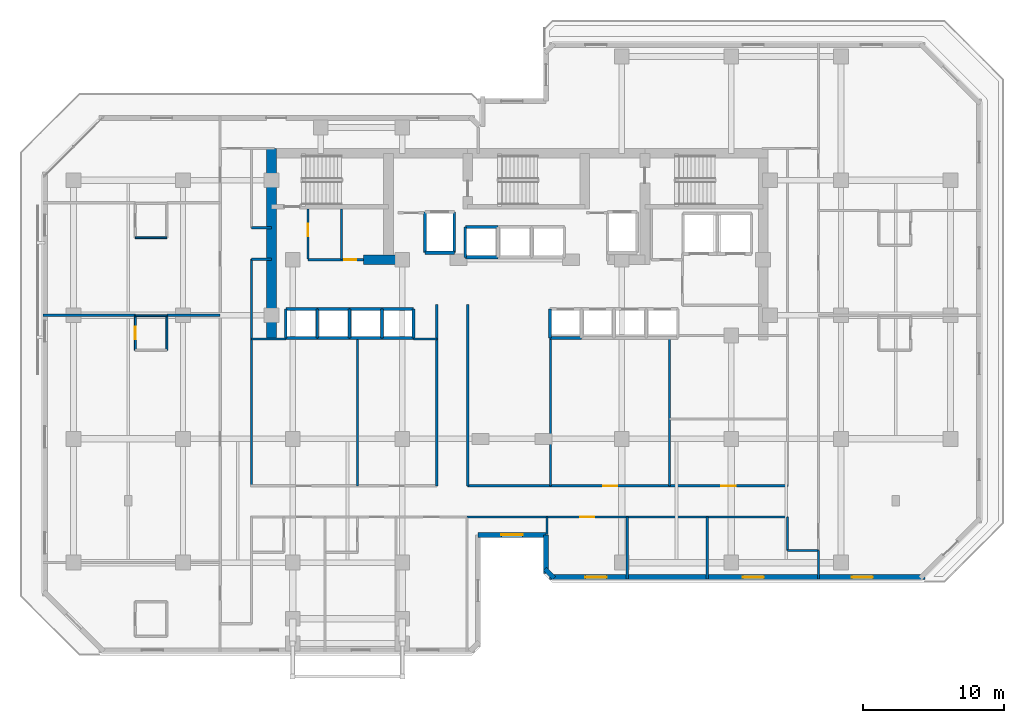
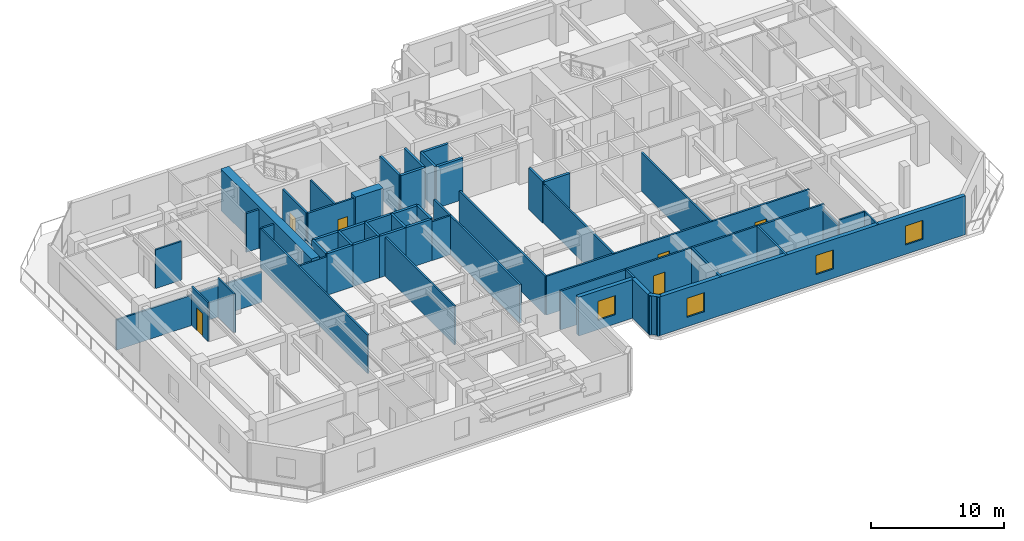
# One storey, part 6 of 11: 54 walls, 6 doors, 4 windows, 10 openings.
"""IFC4 building model written with IfcOpenShell, lengths in metres."""

from ifc_helpers import new_model, si_unit, direction, frame, frame_2d, origin, place, context, subcontext, project, spatial, rectangle, extrude, material, layer, layer_set, type_object, element, fill, save


model = new_model("IFC4")

# Units and contexts
model_context = context("Model", 3, precision=1e-05, world=origin(), true_north=direction((0.0, 1.0)))
body_context = subcontext(model_context, "Body", "Model", "MODEL_VIEW")
ifc_project = project(units=[si_unit("LENGTHUNIT", "METRE"), si_unit("AREAUNIT", "SQUARE_METRE"), si_unit("VOLUMEUNIT", "CUBIC_METRE"), si_unit("PLANEANGLEUNIT", "RADIAN"), si_unit("MASSUNIT", "GRAM", prefix="KILO")], contexts=[model_context])

# Site, building, storey
site_placement = place(None, origin())
site = spatial("IfcSite", under=ifc_project, at=site_placement, CompositionType="ELEMENT")
building_placement = place(site_placement, origin())
building = spatial("IfcBuilding", under=site, at=building_placement, Name="Kestravale Grand Hotel", CompositionType="ELEMENT")
storey_placement = place(building_placement, frame((0.0, 0.0, 134.60009765625)))
storey = spatial("IfcBuildingStorey", under=building, at=storey_placement, Name="L33", CompositionType="ELEMENT", Elevation=134.60009765625)

# Walls
ifc_material_1 = material(Name="Concrete f'c 60 MPa", Category="concrete")
ifc_layer_1 = layer(ifc_material_1, 0.699951171875)
ifc_layer_set_1 = layer_set([ifc_layer_1], Name="EW-CORE-700")
wall_type_1 = type_object("IfcWallType", Name="EW-CORE-700", PredefinedType="SHEAR", material=ifc_layer_set_1)
wall_1_placement = place(storey_placement, frame((21.89990234375, 27.050048828125, 0.0), z_axis=(0.0, 0.0, 1.0), x_axis=(0.0, 1.0, 0.0)))
element("IfcWall", 1, at=wall_1_placement, inside=storey, type_object=wall_type_1, Name="L33 core shear wall W1", PredefinedType="SHEAR", context=body_context, shape_type="SweptSolid", body=[
    extrude(rectangle(XDim=13.619873046875, YDim=0.699951171875, at=frame_2d((6.81005859375, 0.0))), origin(), (0.0, 0.0, 1.0), 3.7998046875),
])
wall_2_placement = place(storey_placement, frame((28.449951171875, 32.75, 0.0), z_axis=(0.0, 0.0, 1.0), x_axis=(1.0, 0.0, 0.0)))
element("IfcWall", 2, at=wall_2_placement, inside=storey, type_object=wall_type_1, Name="L33 core shear wall S1", PredefinedType="SHEAR", context=body_context, shape_type="SweptSolid", body=[
    extrude(rectangle(XDim=2.400146484375, YDim=0.699951171875, at=frame_2d((1.2001953125, 0.0))), origin(), (0.0, 0.0, 1.0), 3.7998046875),
])

# Wall, opening, window
ifc_material_2 = material(Name="Precast concrete f'c 45 MPa", Category="concrete")
ifc_layer_2 = layer(ifc_material_2, 0.340087890625)
ifc_layer_set_2 = layer_set([ifc_layer_2], Name="EW-PREC-340")
wall_type_2 = type_object("IfcWallType", Name="EW-PREC-340", PredefinedType="SOLIDWALL", material=ifc_layer_set_2)
wall_3_placement = place(storey_placement, frame((36.580078125, 13.169921875, 0.0), z_axis=(0.0, 0.0, 1.0), x_axis=(1.0, 0.0, 0.0)))
wall_3 = element("IfcWall", 3, at=wall_3_placement, inside=storey, type_object=wall_type_2, Name="L33 fluted precast facade wall 4", PredefinedType="SOLIDWALL", context=body_context, shape_type="SweptSolid", body=[
    extrude(rectangle(XDim=4.83984375, YDim=0.340087890625, at=frame_2d((2.419921875, 0.0))), origin(), (0.0, 0.0, 1.0), 3.5498046875),
])
opening_1_placement = place(wall_3_placement, frame((1.669921875, 0.0, 0.85009765625)))
opening_1 = element("IfcOpeningElement", 4, at=opening_1_placement, cuts=wall_3, Name="Opening W-GUEST-1500", PredefinedType="OPENING", context=body_context, shape_type="SweptSolid", body=[
    extrude(rectangle(XDim=1.5, YDim=1.75, at=frame_2d((0.75, 0.875))), frame((0.0, 0.179931640625, 0.0), z_axis=(0.0, -1.0, 0.0), x_axis=(1.0, 0.0, 0.0)), (0.0, 0.0, 1.0), 0.360107421875),
])
ifc_material_3 = material(Name="Insulated low-E double glazing in aluminium frame", Category="aluminium")
window_type = type_object("IfcWindowType", Name="W-GUEST-1500", PartitioningType="SINGLE_PANEL", PredefinedType="WINDOW", material=ifc_material_3)
window_1_placement = place(opening_1_placement, origin())
window_1 = element("IfcWindow", 5, at=window_1_placement, inside=storey, type_object=window_type, Name="L33 exterior window 4.1", OverallHeight=1.75, OverallWidth=1.5, PartitioningType="SINGLE_PANEL", PredefinedType="WINDOW", context=body_context, shape_type="SweptSolid", body=[
    extrude(rectangle(XDim=1.5, YDim=1.75, at=frame_2d((0.75, 0.875))), frame((0.0, 0.030029296875, 0.0), z_axis=(0.0, -1.0, 0.0), x_axis=(1.0, 0.0, 0.0)), (0.0, 0.0, 1.0), 0.06005859375),
])
fill(opening_1, window_1)

# Walls
wall_4_placement = place(storey_placement, frame((41.419921875, 13.169921875, 0.0), z_axis=(0.0, 0.0, 1.0), x_axis=(0.0, -1.0, 0.0)))
element("IfcWall", 6, at=wall_4_placement, inside=storey, type_object=wall_type_2, Name="L33 fluted precast facade wall 5", PredefinedType="SOLIDWALL", context=body_context, shape_type="SweptSolid", body=[
    extrude(rectangle(XDim=2.739990234375, YDim=0.340087890625, at=frame_2d((1.3701171875, 0.0))), origin(), (0.0, 0.0, 1.0), 3.5498046875),
])
wall_5_placement = place(storey_placement, frame((41.341796875, 10.74853515625, 0.0), z_axis=(0.0, 0.0, 1.0), x_axis=(0.707106781187, -0.707106781187, 0.0)))
element("IfcWall", 7, at=wall_5_placement, inside=storey, type_object=wall_type_2, Name="L33 fluted precast facade wall 6", PredefinedType="SOLIDWALL", context=body_context, shape_type="SweptSolid", body=[
    extrude(rectangle(XDim=0.9287109375, YDim=0.340087890625, at=frame_2d((0.46435546875, 0.0))), origin(), (0.0, 0.0, 1.0), 3.5498046875),
])

# Wall, openings, windows
wall_6_placement = place(storey_placement, frame((41.679931640625, 10.169921875, 0.0), z_axis=(0.0, 0.0, 1.0), x_axis=(1.0, 0.0, 0.0)))
wall_6 = element("IfcWall", 8, at=wall_6_placement, inside=storey, type_object=wall_type_2, Name="L33 fluted precast facade wall 7", PredefinedType="SOLIDWALL", context=body_context, shape_type="SweptSolid", body=[
    extrude(rectangle(XDim=26.690185546875, YDim=0.340087890625, at=frame_2d((13.34521484375, 0.0))), origin(), (0.0, 0.0, 1.0), 3.5498046875),
])
opening_2_placement = place(wall_6_placement, frame((2.54833984375, 0.0, 0.85009765625)))
opening_2 = element("IfcOpeningElement", 9, at=opening_2_placement, cuts=wall_6, Name="Opening W-GUEST-1500", PredefinedType="OPENING", context=body_context, shape_type="SweptSolid", body=[
    extrude(rectangle(XDim=1.5, YDim=1.75, at=frame_2d((0.75, 0.875))), frame((0.0, 0.179931640625, 0.0), z_axis=(0.0, -1.0, 0.0), x_axis=(1.0, 0.0, 0.0)), (0.0, 0.0, 1.0), 0.360107421875),
])
opening_3_placement = place(wall_6_placement, frame((13.7451171875, 0.0, 0.85009765625)))
opening_3 = element("IfcOpeningElement", 10, at=opening_3_placement, cuts=wall_6, Name="Opening W-GUEST-1500", PredefinedType="OPENING", context=body_context, shape_type="SweptSolid", body=[
    extrude(rectangle(XDim=1.5, YDim=1.75, at=frame_2d((0.75, 0.875))), frame((0.0, 0.179931640625, 0.0), z_axis=(0.0, -1.0, 0.0), x_axis=(1.0, 0.0, 0.0)), (0.0, 0.0, 1.0), 0.360107421875),
])
opening_4_placement = place(wall_6_placement, frame((21.49169921875, 0.0, 0.85009765625)))
opening_4 = element("IfcOpeningElement", 11, at=opening_4_placement, cuts=wall_6, Name="Opening W-GUEST-1500", PredefinedType="OPENING", context=body_context, shape_type="SweptSolid", body=[
    extrude(rectangle(XDim=1.5, YDim=1.75, at=frame_2d((0.75, 0.875))), frame((0.0, 0.179931640625, 0.0), z_axis=(0.0, -1.0, 0.0), x_axis=(1.0, 0.0, 0.0)), (0.0, 0.0, 1.0), 0.360107421875),
])
window_2_placement = place(opening_2_placement, origin())
window_2 = element("IfcWindow", 12, at=window_2_placement, inside=storey, type_object=window_type, Name="L33 exterior window 7.1", OverallHeight=1.75, OverallWidth=1.5, PartitioningType="SINGLE_PANEL", PredefinedType="WINDOW", context=body_context, shape_type="SweptSolid", body=[
    extrude(rectangle(XDim=1.5, YDim=1.75, at=frame_2d((0.75, 0.875))), frame((0.0, 0.030029296875, 0.0), z_axis=(0.0, -1.0, 0.0), x_axis=(1.0, 0.0, 0.0)), (0.0, 0.0, 1.0), 0.06005859375),
])
fill(opening_2, window_2)
window_3_placement = place(opening_3_placement, origin())
window_3 = element("IfcWindow", 13, at=window_3_placement, inside=storey, type_object=window_type, Name="L33 exterior window 7.2", OverallHeight=1.75, OverallWidth=1.5, PartitioningType="SINGLE_PANEL", PredefinedType="WINDOW", context=body_context, shape_type="SweptSolid", body=[
    extrude(rectangle(XDim=1.5, YDim=1.75, at=frame_2d((0.75, 0.875))), frame((0.0, 0.030029296875, 0.0), z_axis=(0.0, -1.0, 0.0), x_axis=(1.0, 0.0, 0.0)), (0.0, 0.0, 1.0), 0.06005859375),
])
fill(opening_3, window_3)
window_4_placement = place(opening_4_placement, origin())
window_4 = element("IfcWindow", 14, at=window_4_placement, inside=storey, type_object=window_type, Name="L33 exterior window 7.3", OverallHeight=1.75, OverallWidth=1.5, PartitioningType="SINGLE_PANEL", PredefinedType="WINDOW", context=body_context, shape_type="SweptSolid", body=[
    extrude(rectangle(XDim=1.5, YDim=1.75, at=frame_2d((0.75, 0.875))), frame((0.0, 0.030029296875, 0.0), z_axis=(0.0, -1.0, 0.0), x_axis=(1.0, 0.0, 0.0)), (0.0, 0.0, 1.0), 0.06005859375),
])
fill(opening_4, window_4)

# Wall, opening, door
ifc_material_4 = material(Name="Acoustic fire-rated gypsum board partition", Category="other")
ifc_layer_3 = layer(ifc_material_4, 0.159912109375)
ifc_layer_set_3 = layer_set([ifc_layer_3], Name="IW-CORR-160")
wall_type_3 = type_object("IfcWallType", Name="IW-CORR-160", PredefinedType="PARTITIONING", material=ifc_layer_set_3)
wall_7_placement = place(storey_placement, frame((24.47998046875, 32.800048828125, 0.0), z_axis=(0.0, 0.0, 1.0), x_axis=(0.0, 1.0, 0.0)))
wall_7 = element("IfcWall", 15, at=wall_7_placement, inside=storey, type_object=wall_type_3, Name="L33 west core vestibule wall", PredefinedType="PARTITIONING", context=body_context, shape_type="SweptSolid", body=[
    extrude(rectangle(XDim=3.570068359375, YDim=0.159912109375, at=frame_2d((1.78515625, 0.0))), origin(), (0.0, 0.0, 1.0), 3.5498046875),
])
opening_5_placement = place(wall_7_placement, frame((1.603515625, 0.0, 0.0)))
opening_5 = element("IfcOpeningElement", 16, at=opening_5_placement, cuts=wall_7, Name="Opening D-SH-900", PredefinedType="OPENING", context=body_context, shape_type="SweptSolid", body=[
    extrude(rectangle(XDim=0.89990234375, YDim=2.10009765625, at=frame_2d((0.449951171875, 1.050048828125))), frame((0.0, 0.08984375, 0.0), z_axis=(0.0, -1.0, 0.0), x_axis=(1.0, 0.0, 0.0)), (0.0, 0.0, 1.0), 0.179931640625),
])
ifc_material_5 = material(Name="Galvanised 90-minute shaft and service fire door", Category="steel")
door_type_1 = type_object("IfcDoorType", Name="D-SH-900", OperationType="NOTDEFINED", PredefinedType="DOOR", material=ifc_material_5)
door_1_placement = place(opening_5_placement, origin())
door_1 = element("IfcDoor", 17, at=door_1_placement, inside=storey, type_object=door_type_1, Name="D-L33-HK", OperationType="SINGLE_SWING_RIGHT", OverallHeight=2.10009765625, OverallWidth=0.89990234375, PredefinedType="DOOR", context=body_context, shape_type="SweptSolid", body=[
    extrude(rectangle(XDim=0.89990234375, YDim=2.10009765625, at=frame_2d((0.449951171875, 1.050048828125))), frame((0.0, 0.02490234375, 0.0), z_axis=(0.0, -1.0, 0.0), x_axis=(1.0, 0.0, 0.0)), (0.0, 0.0, 1.0), 0.050048828125),
])
fill(opening_5, door_1)

wall_8_placement = place(storey_placement, frame((24.47998046875, 32.75, 0.0), z_axis=(0.0, 0.0, 1.0), x_axis=(1.0, 0.0, 0.0)))
wall_8 = element("IfcWall", 18, at=wall_8_placement, inside=storey, type_object=wall_type_3, Name="W-L33-CWS", PredefinedType="PARTITIONING", context=body_context, shape_type="SweptSolid", body=[
    extrude(rectangle(XDim=3.969970703125, YDim=0.159912109375, at=frame_2d((1.98486328125, 0.0))), origin(), (0.0, 0.0, 1.0), 3.5498046875),
])
opening_6_placement = place(wall_8_placement, frame((2.5849609375, 0.0, 0.0)))
opening_6 = element("IfcOpeningElement", 19, at=opening_6_placement, cuts=wall_8, Name="Opening D-SH-860", PredefinedType="OPENING", context=body_context, shape_type="SweptSolid", body=[
    extrude(rectangle(XDim=0.860107421875, YDim=2.050048828125, at=frame_2d((0.43017578125, 1.02490234375))), frame((0.0, 0.08984375, 0.0), z_axis=(0.0, -1.0, 0.0), x_axis=(1.0, 0.0, 0.0)), (0.0, 0.0, 1.0), 0.179931640625),
])
ifc_material_6 = material(Name="Galvanised 90-minute riser fire door", Category="steel")
door_type_2 = type_object("IfcDoorType", Name="D-SH-860", OperationType="NOTDEFINED", PredefinedType="DOOR", material=ifc_material_6)
door_2_placement = place(opening_6_placement, origin())
door_2 = element("IfcDoor", 20, at=door_2_placement, inside=storey, type_object=door_type_2, Name="D-L33-ELEC", OperationType="SINGLE_SWING_RIGHT", OverallHeight=2.050048828125, OverallWidth=0.860107421875, PredefinedType="DOOR", context=body_context, shape_type="SweptSolid", body=[
    extrude(rectangle(XDim=0.860107421875, YDim=2.050048828125, at=frame_2d((0.43017578125, 1.02490234375))), frame((0.0, 0.02490234375, 0.0), z_axis=(0.0, -1.0, 0.0), x_axis=(1.0, 0.0, 0.0)), (0.0, 0.0, 1.0), 0.050048828125),
])
fill(opening_6, door_2)

# Wall, openings, doors
wall_9_placement = place(storey_placement, frame((35.85009765625, 16.659912109375, 0.0), z_axis=(0.0, 0.0, 1.0), x_axis=(1.0, 0.0, 0.0)))
wall_9 = element("IfcWall", 21, at=wall_9_placement, inside=storey, type_object=wall_type_3, Name="W-L33-CE-N", PredefinedType="PARTITIONING", context=body_context, shape_type="SweptSolid", body=[
    extrude(rectangle(XDim=22.7998046875, YDim=0.159912109375, at=frame_2d((11.39990234375, 0.0))), origin(), (0.0, 0.0, 1.0), 3.5498046875),
])
opening_7_placement = place(wall_9_placement, frame((9.64990234375, 0.0, 0.0)))
opening_7 = element("IfcOpeningElement", 22, at=opening_7_placement, cuts=wall_9, Name="Opening D-GUEST-1000", PredefinedType="OPENING", context=body_context, shape_type="SweptSolid", body=[
    extrude(rectangle(XDim=1.0, YDim=2.14990234375, at=frame_2d((0.5, 1.074951171875))), frame((0.0, 0.08984375, 0.0), z_axis=(0.0, -1.0, 0.0), x_axis=(1.0, 0.0, 0.0)), (0.0, 0.0, 1.0), 0.179931640625),
])
opening_8_placement = place(wall_9_placement, frame((18.050048828125, 0.0, 0.0)))
opening_8 = element("IfcOpeningElement", 23, at=opening_8_placement, cuts=wall_9, Name="Opening D-GUEST-1000", PredefinedType="OPENING", context=body_context, shape_type="SweptSolid", body=[
    extrude(rectangle(XDim=1.0, YDim=2.14990234375, at=frame_2d((0.5, 1.074951171875))), frame((0.0, 0.08984375, 0.0), z_axis=(0.0, -1.0, 0.0), x_axis=(1.0, 0.0, 0.0)), (0.0, 0.0, 1.0), 0.179931640625),
])
ifc_material_7 = material(Name="Accessible walnut veneer hotel entrance fire door", Category="wood")
door_type_3 = type_object("IfcDoorType", Name="D-GUEST-1000", OperationType="NOTDEFINED", PredefinedType="DOOR", material=ifc_material_7)
door_3_placement = place(opening_7_placement, origin())
door_3 = element("IfcDoor", 24, at=door_3_placement, inside=storey, type_object=door_type_3, Name="D-L33-RECL-E1", OperationType="SINGLE_SWING_LEFT", OverallHeight=2.14990234375, OverallWidth=1.0, PredefinedType="DOOR", context=body_context, shape_type="SweptSolid", body=[
    extrude(rectangle(XDim=1.0, YDim=2.14990234375, at=frame_2d((0.5, 1.074951171875))), frame((0.0, 0.02490234375, 0.0), z_axis=(0.0, -1.0, 0.0), x_axis=(1.0, 0.0, 0.0)), (0.0, 0.0, 1.0), 0.050048828125),
])
fill(opening_7, door_3)
door_4_placement = place(opening_8_placement, origin())
door_4 = element("IfcDoor", 25, at=door_4_placement, inside=storey, type_object=door_type_3, Name="D-L33-RECL-E2", OperationType="SINGLE_SWING_RIGHT", OverallHeight=2.14990234375, OverallWidth=1.0, PredefinedType="DOOR", context=body_context, shape_type="SweptSolid", body=[
    extrude(rectangle(XDim=1.0, YDim=2.14990234375, at=frame_2d((0.5, 1.074951171875))), frame((0.0, 0.02490234375, 0.0), z_axis=(0.0, -1.0, 0.0), x_axis=(1.0, 0.0, 0.0)), (0.0, 0.0, 1.0), 0.050048828125),
])
fill(opening_8, door_4)

# Walls
for number, where, z_axis, x_axis, name in (
    (26, (33.64990234375, 16.659912109375, 0.0), (0.0, 0.0, 1.0), (0.0, 1.0, 0.0), "W-L33-TRUNK-W"),
    (27, (35.85009765625, 16.659912109375, 0.0), (0.0, 0.0, 1.0), (0.0, 1.0, 0.0), "W-L33-TRUNK-E"),
):
    element("IfcWall", number, at=place(storey_placement, frame(where, z_axis=z_axis, x_axis=x_axis)), inside=storey, type_object=wall_type_3, Name=name, PredefinedType="PARTITIONING", context=body_context, shape_type="SweptSolid", body=[
        extrude(rectangle(XDim=12.89013671875, YDim=0.159912109375, at=frame_2d((6.445068359375, 0.0))), origin(), (0.0, 0.0, 1.0), 3.5498046875),
    ])

# Wall, opening, door
wall_10_placement = place(storey_placement, frame((35.800048828125, 14.43994140625, 0.0), z_axis=(0.0, 0.0, 1.0), x_axis=(1.0, 0.0, 0.0)))
wall_10 = element("IfcWall", 28, at=wall_10_placement, inside=storey, type_object=wall_type_3, Name="W-L33-CE-S", PredefinedType="PARTITIONING", context=body_context, shape_type="SweptSolid", body=[
    extrude(rectangle(XDim=22.849853515625, YDim=0.159912109375, at=frame_2d((11.4248046875, 0.0))), origin(), (0.0, 0.0, 1.0), 3.5498046875),
])
opening_9_placement = place(wall_10_placement, frame((8.04638671875, 0.0, 0.0)))
opening_9 = element("IfcOpeningElement", 29, at=opening_9_placement, cuts=wall_10, Name="Opening D-GUEST-1000", PredefinedType="OPENING", context=body_context, shape_type="SweptSolid", body=[
    extrude(rectangle(XDim=1.0, YDim=2.14990234375, at=frame_2d((0.5, 1.074951171875))), frame((0.0, 0.08984375, 0.0), z_axis=(0.0, -1.0, 0.0), x_axis=(1.0, 0.0, 0.0)), (0.0, 0.0, 1.0), 0.179931640625),
])
door_5_placement = place(opening_9_placement, origin())
door_5 = element("IfcDoor", 30, at=door_5_placement, inside=storey, type_object=door_type_3, Name="D-L33-AME", OperationType="SINGLE_SWING_RIGHT", OverallHeight=2.14990234375, OverallWidth=1.0, PredefinedType="DOOR", context=body_context, shape_type="SweptSolid", body=[
    extrude(rectangle(XDim=1.0, YDim=2.14990234375, at=frame_2d((0.5, 1.074951171875))), frame((0.0, 0.02490234375, 0.0), z_axis=(0.0, -1.0, 0.0), x_axis=(1.0, 0.0, 0.0)), (0.0, 0.0, 1.0), 0.050048828125),
])
fill(opening_9, door_5)

# Walls
for number, where, z_axis, x_axis, name in (
    (31, (20.4599609375, 35.02001953125, 0.0), (0.0, 0.0, 1.0), (1.0, 0.0, 0.0), "W-L33-SW-CN"),
    (32, (20.4599609375, 32.780029296875, 0.0), (0.0, 0.0, 1.0), (1.0, 0.0, 0.0), "W-L33-SW-CS"),
):
    element("IfcWall", number, at=place(storey_placement, frame(where, z_axis=z_axis, x_axis=x_axis)), inside=storey, type_object=wall_type_3, Name=name, PredefinedType="PARTITIONING", context=body_context, shape_type="SweptSolid", body=[
        extrude(rectangle(XDim=1.43994140625, YDim=0.159912109375, at=frame_2d((0.719970703125, 0.0))), origin(), (0.0, 0.0, 1.0), 3.5498046875),
    ])
wall_11_placement = place(storey_placement, frame((58.590087890625, 12.050048828125, 0.0), z_axis=(0.0, 0.0, 1.0), x_axis=(0.0, 1.0, 0.0)))
element("IfcWall", 33, at=wall_11_placement, inside=storey, type_object=wall_type_3, Name="W-L33-SE-W", PredefinedType="PARTITIONING", context=body_context, shape_type="SweptSolid", body=[
    extrude(rectangle(XDim=2.389892578125, YDim=0.159912109375, at=frame_2d((1.19482421875, 0.0))), origin(), (0.0, 0.0, 1.0), 3.093017578125),
])

# Wall, opening, door
ifc_material_8 = material(Name="Moisture-resistant tile-backer plumbing chase wall", Category="other")
ifc_layer_4 = layer(ifc_material_8, 0.139892578125)
ifc_layer_set_4 = layer_set([ifc_layer_4], Name="IW-PLB-140")
wall_type_4 = type_object("IfcWallType", Name="IW-PLB-140", PredefinedType="PLUMBINGWALL", material=ifc_layer_set_4)
wall_12_placement = place(storey_placement, frame((12.199951171875, 26.31005859375, 0.0), z_axis=(0.0, 0.0, 1.0), x_axis=(0.0, 1.0, 0.0)))
wall_12 = element("IfcWall", 34, at=wall_12_placement, inside=storey, type_object=wall_type_4, Name="W-L33-U04-BW", PredefinedType="PLUMBINGWALL", context=body_context, shape_type="SweptSolid", body=[
    extrude(rectangle(XDim=2.449951171875, YDim=0.139892578125, at=frame_2d((1.22509765625, 0.0))), origin(), (0.0, 0.0, 1.0), 3.5498046875),
])
opening_10_placement = place(wall_12_placement, frame((0.784912109375, 0.0, 0.0)))
opening_10 = element("IfcOpeningElement", 35, at=opening_10_placement, cuts=wall_12, Name="Opening D-BATH-880", PredefinedType="OPENING", context=body_context, shape_type="SweptSolid", body=[
    extrude(rectangle(XDim=0.8798828125, YDim=2.050048828125, at=frame_2d((0.43994140625, 1.02490234375))), frame((0.0, 0.079833984375, 0.0), z_axis=(0.0, -1.0, 0.0), x_axis=(1.0, 0.0, 0.0)), (0.0, 0.0, 1.0), 0.159912109375),
])
ifc_material_9 = material(Name="Moisture-sealed walnut en-suite bathroom door", Category="wood")
door_type_4 = type_object("IfcDoorType", Name="D-BATH-880", OperationType="NOTDEFINED", PredefinedType="DOOR", material=ifc_material_9)
door_6_placement = place(opening_10_placement, origin())
door_6 = element("IfcDoor", 36, at=door_6_placement, inside=storey, type_object=door_type_4, Name="D-L33-U04-BATH", OperationType="SINGLE_SWING_LEFT", OverallHeight=2.050048828125, OverallWidth=0.8798828125, PredefinedType="DOOR", context=body_context, shape_type="SweptSolid", body=[
    extrude(rectangle(XDim=0.8798828125, YDim=2.050048828125, at=frame_2d((0.43994140625, 1.02490234375))), frame((0.0, 0.02490234375, 0.0), z_axis=(0.0, -1.0, 0.0), x_axis=(1.0, 0.0, 0.0)), (0.0, 0.0, 1.0), 0.050048828125),
])
fill(opening_10, door_6)

# Walls
wall_13_placement = place(storey_placement, frame((14.449951171875, 26.31005859375, 0.0), z_axis=(0.0, 0.0, 1.0), x_axis=(0.0, 1.0, 0.0)))
element("IfcWall", 37, at=wall_13_placement, inside=storey, type_object=wall_type_4, Name="W-L33-U04-BE", PredefinedType="PLUMBINGWALL", context=body_context, shape_type="SweptSolid", body=[
    extrude(rectangle(XDim=2.449951171875, YDim=0.139892578125, at=frame_2d((1.22509765625, 0.0))), origin(), (0.0, 0.0, 1.0), 3.5498046875),
])
wall_14_placement = place(storey_placement, frame((12.199951171875, 28.760009765625, 0.0), z_axis=(0.0, 0.0, 1.0), x_axis=(1.0, 0.0, 0.0)))
element("IfcWall", 38, at=wall_14_placement, inside=storey, type_object=wall_type_4, Name="W-L33-U04-BN", PredefinedType="PLUMBINGWALL", context=body_context, shape_type="SweptSolid", body=[
    extrude(rectangle(XDim=2.25, YDim=0.139892578125, at=frame_2d((1.125, 0.0))), origin(), (0.0, 0.0, 1.0), 2.89990234375),
])
wall_15_placement = place(storey_placement, frame((12.199951171875, 34.31005859375, 0.0), z_axis=(0.0, 0.0, 1.0), x_axis=(1.0, 0.0, 0.0)))
element("IfcWall", 39, at=wall_15_placement, inside=storey, type_object=wall_type_4, Name="W-L33-U05-BS", PredefinedType="PLUMBINGWALL", context=body_context, shape_type="SweptSolid", body=[
    extrude(rectangle(XDim=2.25, YDim=0.139892578125, at=frame_2d((1.125, 0.0))), origin(), (0.0, 0.0, 1.0), 3.5498046875),
])
ifc_material_10 = material(Name="Concrete f'c 45 MPa", Category="concrete")
ifc_layer_5 = layer(ifc_material_10, 0.199951171875)
ifc_layer_set_5 = layer_set([ifc_layer_5], Name="IW-SHAFT-200")
wall_type_5 = type_object("IfcWallType", Name="IW-SHAFT-200", PredefinedType="SHEAR", material=ifc_layer_set_5)
for number, where, z_axis, x_axis, name in (
    (40, (22.905029296875, 27.169921875, 0.0), (0.0, 0.0, 1.0), (0.0, 1.0, 0.0), "L33 PL-L1 west shaft wall"),
    (41, (25.14990234375, 27.169921875, 0.0), (0.0, 0.0, 1.0), (0.0, 1.0, 0.0), "L33 PL-L2 west shaft wall"),
    (42, (27.449951171875, 27.169921875, 0.0), (0.0, 0.0, 1.0), (0.0, 1.0, 0.0), "L33 PL-L3 west shaft wall"),
    (43, (29.75, 27.169921875, 0.0), (0.0, 0.0, 1.0), (0.0, 1.0, 0.0), "L33 PL-L4 west shaft wall"),
    (44, (31.9951171875, 27.169921875, 0.0), (0.0, 0.0, 1.0), (0.0, 1.0, 0.0), "L33 PL-L4 east shaft wall"),
    (45, (41.705078125, 27.169921875, 0.0), (0.0, 0.0, 1.0), (0.0, 1.0, 0.0), "L33 PL-M1 west shaft wall"),
):
    element("IfcWall", number, at=place(storey_placement, frame(where, z_axis=z_axis, x_axis=x_axis)), inside=storey, type_object=wall_type_5, Name=name, PredefinedType="SHEAR", context=body_context, shape_type="SweptSolid", body=[
        extrude(rectangle(XDim=2.06005859375, YDim=0.199951171875, at=frame_2d((1.030029296875, 0.0))), origin(), (0.0, 0.0, 1.0), 3.7998046875),
    ])
wall_16_placement = place(storey_placement, frame((35.679931640625, 32.919921875, 0.0), z_axis=(0.0, 0.0, 1.0), x_axis=(0.0, 1.0, 0.0)))
element("IfcWall", 46, at=wall_16_placement, inside=storey, type_object=wall_type_5, Name="L33 PL-X1 west shaft wall", PredefinedType="SHEAR", context=body_context, shape_type="SweptSolid", body=[
    extrude(rectangle(XDim=2.16015625, YDim=0.199951171875, at=frame_2d((1.080078125, 0.0))), origin(), (0.0, 0.0, 1.0), 3.7998046875),
])
for number, where, z_axis, x_axis, name in (
    (47, (32.804931640625, 33.2451171875, 0.0), (0.0, 0.0, 1.0), (0.0, 1.0, 0.0), "L33 FL-1 west shaft wall"),
    (48, (34.89501953125, 33.2451171875, 0.0), (0.0, 0.0, 1.0), (0.0, 1.0, 0.0), "L33 FL-1 east shaft wall"),
):
    element("IfcWall", number, at=place(storey_placement, frame(where, z_axis=z_axis, x_axis=x_axis)), inside=storey, type_object=wall_type_5, Name=name, PredefinedType="SHEAR", context=body_context, shape_type="SweptSolid", body=[
        extrude(rectangle(XDim=2.909912109375, YDim=0.199951171875, at=frame_2d((1.455078125, 0.0))), origin(), (0.0, 0.0, 1.0), 3.7998046875),
    ])
ifc_material_11 = material(Name="Concrete f'c 45 MPa", Category="concrete")
ifc_layer_6 = layer(ifc_material_11, 0.219970703125)
ifc_layer_set_6 = layer_set([ifc_layer_6], Name="IW-SHAFT-220")
wall_type_6 = type_object("IfcWallType", Name="IW-SHAFT-220", PredefinedType="SHEAR", material=ifc_layer_set_6)
for number, where, z_axis, x_axis, name in (
    (49, (22.905029296875, 29.22998046875, 0.0), (0.0, 0.0, 1.0), (1.0, 0.0, 0.0), "L33 PL-L1 north shaft wall"),
    (50, (22.905029296875, 27.169921875, 0.0), (0.0, 0.0, 1.0), (1.0, 0.0, 0.0), "L33 PL-L1 south shaft wall"),
):
    element("IfcWall", number, at=place(storey_placement, frame(where, z_axis=z_axis, x_axis=x_axis)), inside=storey, type_object=wall_type_6, Name=name, PredefinedType="SHEAR", context=body_context, shape_type="SweptSolid", body=[
        extrude(rectangle(XDim=2.244873046875, YDim=0.219970703125, at=frame_2d((1.12255859375, 0.0))), origin(), (0.0, 0.0, 1.0), 3.7998046875),
    ])
for number, where, z_axis, x_axis, name in (
    (51, (25.14990234375, 29.22998046875, 0.0), (0.0, 0.0, 1.0), (1.0, 0.0, 0.0), "L33 PL-L2 north shaft wall"),
    (52, (25.14990234375, 27.169921875, 0.0), (0.0, 0.0, 1.0), (1.0, 0.0, 0.0), "L33 PL-L2 south shaft wall"),
    (53, (27.449951171875, 29.22998046875, 0.0), (0.0, 0.0, 1.0), (1.0, 0.0, 0.0), "L33 PL-L3 north shaft wall"),
    (54, (27.449951171875, 27.169921875, 0.0), (0.0, 0.0, 1.0), (1.0, 0.0, 0.0), "L33 PL-L3 south shaft wall"),
):
    element("IfcWall", number, at=place(storey_placement, frame(where, z_axis=z_axis, x_axis=x_axis)), inside=storey, type_object=wall_type_6, Name=name, PredefinedType="SHEAR", context=body_context, shape_type="SweptSolid", body=[
        extrude(rectangle(XDim=2.300048828125, YDim=0.219970703125, at=frame_2d((1.14990234375, 0.0))), origin(), (0.0, 0.0, 1.0), 3.7998046875),
    ])
for number, where, z_axis, x_axis, name in (
    (55, (29.75, 29.22998046875, 0.0), (0.0, 0.0, 1.0), (1.0, 0.0, 0.0), "L33 PL-L4 north shaft wall"),
    (56, (29.75, 27.169921875, 0.0), (0.0, 0.0, 1.0), (1.0, 0.0, 0.0), "L33 PL-L4 south shaft wall"),
):
    element("IfcWall", number, at=place(storey_placement, frame(where, z_axis=z_axis, x_axis=x_axis)), inside=storey, type_object=wall_type_6, Name=name, PredefinedType="SHEAR", context=body_context, shape_type="SweptSolid", body=[
        extrude(rectangle(XDim=2.2451171875, YDim=0.219970703125, at=frame_2d((1.12255859375, 0.0))), origin(), (0.0, 0.0, 1.0), 3.7998046875),
    ])
wall_17_placement = place(storey_placement, frame((41.705078125, 27.169921875, 0.0), z_axis=(0.0, 0.0, 1.0), x_axis=(1.0, 0.0, 0.0)))
element("IfcWall", 57, at=wall_17_placement, inside=storey, type_object=wall_type_6, Name="L33 PL-M1 south shaft wall", PredefinedType="SHEAR", context=body_context, shape_type="SweptSolid", body=[
    extrude(rectangle(XDim=2.244873046875, YDim=0.219970703125, at=frame_2d((1.12255859375, 0.0))), origin(), (0.0, 0.0, 1.0), 3.7998046875),
])
for number, where, z_axis, x_axis, name in (
    (58, (35.679931640625, 35.080078125, 0.0), (0.0, 0.0, 1.0), (1.0, 0.0, 0.0), "L33 PL-X1 north shaft wall"),
    (59, (35.679931640625, 32.919921875, 0.0), (0.0, 0.0, 1.0), (1.0, 0.0, 0.0), "L33 PL-X1 south shaft wall"),
):
    element("IfcWall", number, at=place(storey_placement, frame(where, z_axis=z_axis, x_axis=x_axis)), inside=storey, type_object=wall_type_6, Name=name, PredefinedType="SHEAR", context=body_context, shape_type="SweptSolid", body=[
        extrude(rectangle(XDim=2.320068359375, YDim=0.219970703125, at=frame_2d((1.16015625, 0.0))), origin(), (0.0, 0.0, 1.0), 3.7998046875),
    ])
wall_18_placement = place(storey_placement, frame((32.804931640625, 33.2451171875, 0.0), z_axis=(0.0, 0.0, 1.0), x_axis=(1.0, 0.0, 0.0)))
element("IfcWall", 60, at=wall_18_placement, inside=storey, type_object=wall_type_6, Name="L33 FL-1 south shaft wall", PredefinedType="SHEAR", context=body_context, shape_type="SweptSolid", body=[
    extrude(rectangle(XDim=2.090087890625, YDim=0.219970703125, at=frame_2d((1.044921875, 0.0))), origin(), (0.0, 0.0, 1.0), 3.7998046875),
])
ifc_material_12 = material(Name="Double-stud STC 52 acoustic demising partition", Category="other")
ifc_layer_7 = layer(ifc_material_12, 0.14990234375)
ifc_layer_set_7 = layer_set([ifc_layer_7], Name="IW-UNIT-150")
wall_type_7 = type_object("IfcWallType", Name="IW-UNIT-150", PredefinedType="PARTITIONING", material=ifc_layer_set_7)
wall_19_placement = place(storey_placement, frame((26.8798828125, 32.75, 0.0), z_axis=(0.0, 0.0, 1.0), x_axis=(0.0, 1.0, 0.0)))
element("IfcWall", 61, at=wall_19_placement, inside=storey, type_object=wall_type_7, Name="W-L33-CC0-1", PredefinedType="PARTITIONING", context=body_context, shape_type="SweptSolid", body=[
    extrude(rectangle(XDim=3.6201171875, YDim=0.14990234375, at=frame_2d((1.81005859375, 0.0))), origin(), (0.0, 0.0, 1.0), 3.5498046875),
])
wall_20_placement = place(storey_placement, frame((58.590087890625, 12.050048828125, 0.0), z_axis=(0.0, 0.0, 1.0), x_axis=(1.0, 0.0, 0.0)))
element("IfcWall", 62, at=wall_20_placement, inside=storey, type_object=wall_type_7, Name="W-L33-SE-S", PredefinedType="PARTITIONING", context=body_context, shape_type="SweptSolid", body=[
    extrude(rectangle(XDim=2.219970703125, YDim=0.14990234375, at=frame_2d((1.10986328125, 0.0))), origin(), (0.0, 0.0, 1.0), 3.5498046875),
])
wall_21_placement = place(storey_placement, frame((20.4599609375, 16.659912109375, 0.0), z_axis=(0.0, 0.0, 1.0), x_axis=(0.0, 1.0, 0.0)))
element("IfcWall", 63, at=wall_21_placement, inside=storey, type_object=wall_type_7, Name="W-L33-RCLW-W", PredefinedType="PARTITIONING", context=body_context, shape_type="SweptSolid", body=[
    extrude(rectangle(XDim=16.14013671875, YDim=0.14990234375, at=frame_2d((8.070068359375, 0.0))), origin(), (0.0, 0.0, 1.0), 3.5498046875),
])
wall_22_placement = place(storey_placement, frame((28.0, 16.659912109375, 0.0), z_axis=(0.0, 0.0, 1.0), x_axis=(0.0, 1.0, 0.0)))
element("IfcWall", 64, at=wall_22_placement, inside=storey, type_object=wall_type_7, Name="W-L33-RCLW-M", PredefinedType="PARTITIONING", context=body_context, shape_type="SweptSolid", body=[
    extrude(rectangle(XDim=10.489990234375, YDim=0.14990234375, at=frame_2d((5.2451171875, 0.0))), origin(), (0.0, 0.0, 1.0), 3.5498046875),
])
wall_23_placement = place(storey_placement, frame((20.4599609375, 27.1201171875, 0.0), z_axis=(0.0, 0.0, 1.0), x_axis=(1.0, 0.0, 0.0)))
element("IfcWall", 65, at=wall_23_placement, inside=storey, type_object=wall_type_7, Name="W-L33-RCLW-N", PredefinedType="PARTITIONING", context=body_context, shape_type="SweptSolid", body=[
    extrude(rectangle(XDim=2.445068359375, YDim=0.14990234375, at=frame_2d((1.22265625, 0.0))), origin(), (0.0, 0.0, 1.0), 3.5498046875),
])
wall_24_placement = place(storey_placement, frame((31.9951171875, 27.1201171875, 0.0), z_axis=(0.0, 0.0, 1.0), x_axis=(1.0, 0.0, 0.0)))
element("IfcWall", 66, at=wall_24_placement, inside=storey, type_object=wall_type_7, Name="W-L33-RCLW-N", PredefinedType="PARTITIONING", context=body_context, shape_type="SweptSolid", body=[
    extrude(rectangle(XDim=1.65478515625, YDim=0.14990234375, at=frame_2d((0.827392578125, 0.0))), origin(), (0.0, 0.0, 1.0), 3.5498046875),
])
wall_25_placement = place(storey_placement, frame((41.75, 16.659912109375, 0.0), z_axis=(0.0, 0.0, 1.0), x_axis=(0.0, 1.0, 0.0)))
element("IfcWall", 67, at=wall_25_placement, inside=storey, type_object=wall_type_7, Name="W-L33-RCLE-W", PredefinedType="PARTITIONING", context=body_context, shape_type="SweptSolid", body=[
    extrude(rectangle(XDim=10.510009765625, YDim=0.14990234375, at=frame_2d((5.2548828125, 0.0))), origin(), (0.0, 0.0, 1.0), 3.5498046875),
])
wall_26_placement = place(storey_placement, frame((50.199951171875, 16.659912109375, 0.0), z_axis=(0.0, 0.0, 1.0), x_axis=(0.0, 1.0, 0.0)))
element("IfcWall", 68, at=wall_26_placement, inside=storey, type_object=wall_type_7, Name="W-L33-RCLE-M", PredefinedType="PARTITIONING", context=body_context, shape_type="SweptSolid", body=[
    extrude(rectangle(XDim=10.489990234375, YDim=0.14990234375, at=frame_2d((5.2451171875, 0.0))), origin(), (0.0, 0.0, 1.0), 3.5498046875),
])
wall_27_placement = place(storey_placement, frame((41.49755859375, 13.18994140625, 0.0), z_axis=(0.0, 0.0, 1.0), x_axis=(0.0, 1.0, 0.0)))
element("IfcWall", 69, at=wall_27_placement, inside=storey, type_object=wall_type_7, Name="W-L33-ES-1", PredefinedType="PARTITIONING", context=body_context, shape_type="SweptSolid", body=[
    extrude(rectangle(XDim=1.25, YDim=0.14990234375, at=frame_2d((0.625, 0.0))), origin(), (0.0, 0.0, 1.0), 3.5498046875),
])
for number, where, z_axis, x_axis, name in (
    (70, (47.195068359375, 10.02001953125, 0.0), (0.0, 0.0, 1.0), (0.0, 1.0, 0.0), "W-L33-ES-2"),
    (71, (52.892578125, 10.02001953125, 0.0), (0.0, 0.0, 1.0), (0.0, 1.0, 0.0), "W-L33-ES-3"),
):
    element("IfcWall", number, at=place(storey_placement, frame(where, z_axis=z_axis, x_axis=x_axis)), inside=storey, type_object=wall_type_7, Name=name, PredefinedType="PARTITIONING", context=body_context, shape_type="SweptSolid", body=[
        extrude(rectangle(XDim=4.419921875, YDim=0.14990234375, at=frame_2d((2.2099609375, 0.0))), origin(), (0.0, 0.0, 1.0), 3.5498046875),
    ])
wall_28_placement = place(storey_placement, frame((5.6201171875, 28.800048828125, 0.0), z_axis=(0.0, 0.0, 1.0), x_axis=(1.0, 0.0, 0.0)))
element("IfcWall", 72, at=wall_28_placement, inside=storey, type_object=wall_type_7, Name="W-L33-WW-2", PredefinedType="PARTITIONING", context=body_context, shape_type="SweptSolid", body=[
    extrude(rectangle(XDim=6.579833984375, YDim=0.14990234375, at=frame_2d((3.2900390625, 0.0))), origin(), (0.0, 0.0, 1.0), 2.77783203125),
])
wall_29_placement = place(storey_placement, frame((14.449951171875, 28.800048828125, 0.0), z_axis=(0.0, 0.0, 1.0), x_axis=(1.0, 0.0, 0.0)))
element("IfcWall", 73, at=wall_29_placement, inside=storey, type_object=wall_type_7, Name="W-L33-WW-2", PredefinedType="PARTITIONING", context=body_context, shape_type="SweptSolid", body=[
    extrude(rectangle(XDim=3.7900390625, YDim=0.14990234375, at=frame_2d((1.89501953125, 0.0))), origin(), (0.0, 0.0, 1.0), 2.77783203125),
])
wall_30_placement = place(storey_placement, frame((60.81005859375, 10.02001953125, 0.0), z_axis=(0.0, 0.0, 1.0), x_axis=(0.0, 1.0, 0.0)))
element("IfcWall", 74, at=wall_30_placement, inside=storey, type_object=wall_type_7, Name="W-L33-SE-EXT", PredefinedType="PARTITIONING", context=body_context, shape_type="SweptSolid", body=[
    extrude(rectangle(XDim=2.030029296875, YDim=0.14990234375, at=frame_2d((1.01513671875, 0.0))), origin(), (0.0, 0.0, 1.0), 3.5498046875),
])

save(model, "model.ifc")
